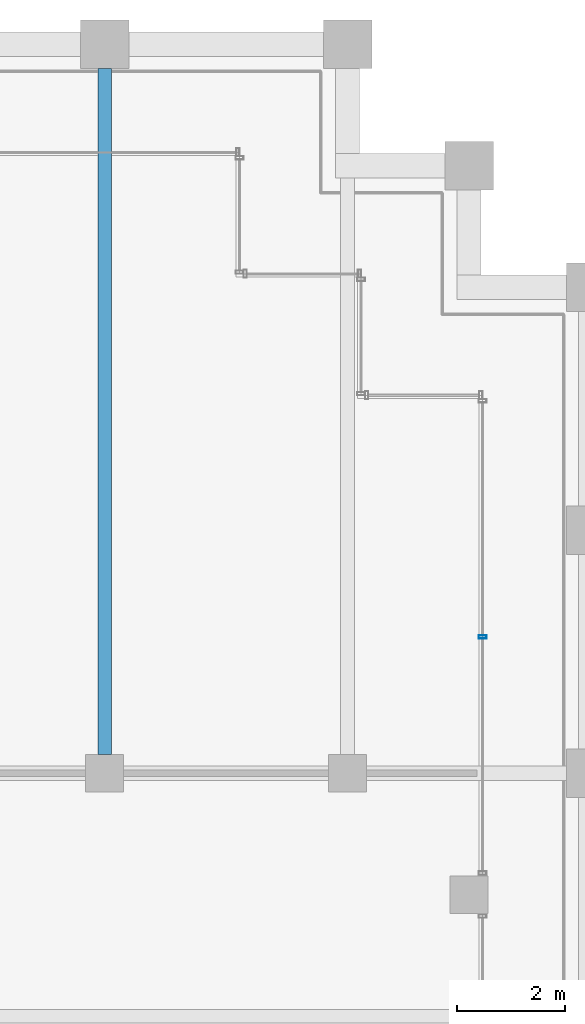
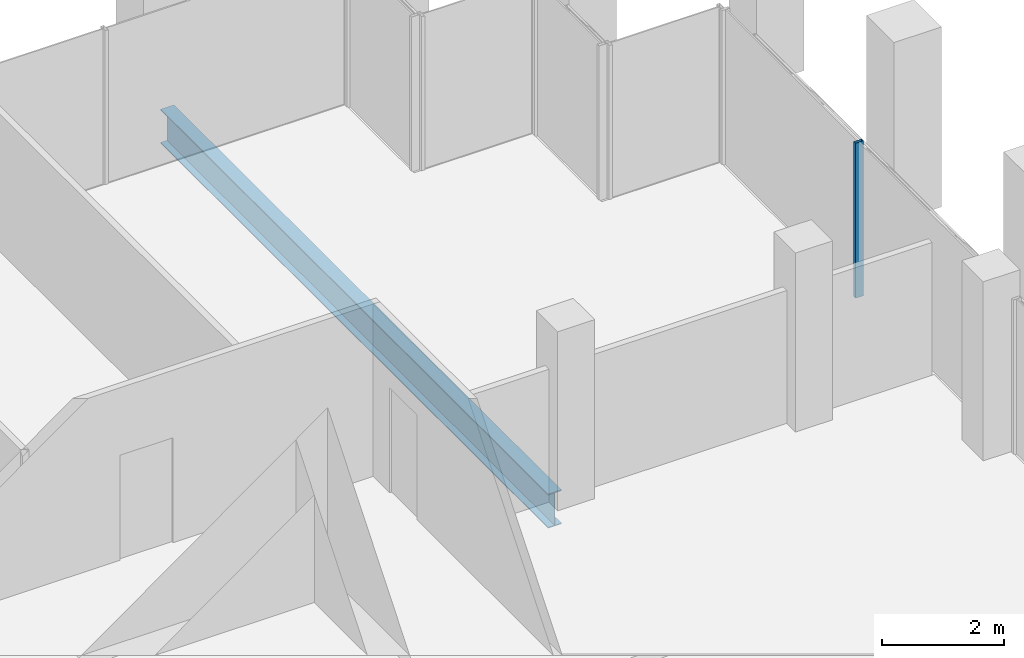
# One storey, part 24 of 40: 1 beam, 1 member, 1 element without a shape of its own.
"""IFC4 building model written with IfcOpenShell, lengths in metres."""

from ifc_helpers import new_model, si_unit, direction, frame, origin, origin_2d, place, context, subcontext, project, spatial, hollow_rectangle, i_section, extrude, material, material_profile, profile_set, type_object, element, aggregate, save


model = new_model("IFC4")

# Units and contexts
model_context = context("Model", 3, precision=1e-05, world=origin(), true_north=direction((0.0, 1.0)))
body_context = subcontext(model_context, "Body", "Model", "MODEL_VIEW")
ifc_project = project(units=[si_unit("LENGTHUNIT", "METRE"), si_unit("AREAUNIT", "SQUARE_METRE"), si_unit("VOLUMEUNIT", "CUBIC_METRE"), si_unit("PLANEANGLEUNIT", "RADIAN"), si_unit("MASSUNIT", "GRAM", prefix="KILO")], contexts=[model_context])

# Site, building, storey
site_placement = place(None, origin())
site = spatial("IfcSite", under=ifc_project, at=site_placement, CompositionType="ELEMENT")
building_placement = place(site_placement, origin())
building = spatial("IfcBuilding", under=site, at=building_placement, Name="Altepetl Exchange Towers", CompositionType="ELEMENT")
storey_placement = place(building_placement, frame((0.0, 0.0, 169.0)))
storey = spatial("IfcBuildingStorey", under=building, at=storey_placement, Name="L42", CompositionType="ELEMENT", Elevation=169.0)

# Beam
ifc_material_1 = material(Name="Steel S355", Category="steel")
ifc_material_profile_1 = material_profile(ifc_material_1, i_section(OverallWidth=0.25390625, OverallDepth=0.68408203125, WebThickness=0.012451171875, FlangeThickness=0.018798828125, at=origin_2d()), Name="W27X94")
ifc_profile_set_1 = profile_set([ifc_material_profile_1], Name="Steel S355")
beam_type = type_object("IfcBeamType", Name="Floor beam W27X94", PredefinedType="BEAM", material=ifc_profile_set_1)
beam_placement = place(storey_placement, frame((63.0, 58.85009765625, -0.491943359375), z_axis=(0.0, 1.0, 0.0), x_axis=(-1.0, 0.0, 0.0)))
element("IfcBeam", 1, at=beam_placement, inside=storey, type_object=beam_type, Name="bm:A:L42:004", PredefinedType="BEAM", context=body_context, shape_type="SweptSolid", body=[
    extrude(i_section(OverallWidth=0.25390625, OverallDepth=0.68408203125, WebThickness=0.012451171875, FlangeThickness=0.018798828125, at=origin_2d()), origin(), (0.0, 0.0, 1.0), 12.699951171875),
])

# Curtain wall, member
ifc_material_2 = material(Name="Aluminium 6063-T6 glazing", Category="aluminium")
curtain_wall_type = type_object("IfcCurtainWallType", Name="Loggia glazing system", PredefinedType="NOTDEFINED", material=ifc_material_2)
curtain_wall_placement = place(storey_placement, origin())
curtain_wall = element("IfcCurtainWall", 2, at=curtain_wall_placement, inside=storey, type_object=curtain_wall_type, Name="CW1 run", PredefinedType="NOTDEFINED")
ifc_material_3 = material(Name="Aluminium 6063-T6", Category="aluminium")
ifc_material_profile_2 = material_profile(ifc_material_3, hollow_rectangle(XDim=0.06005859375, YDim=0.14990234375, WallThickness=0.0029296875, at=origin_2d()), Name="Mullion 60x150 aluminium")
ifc_profile_set_2 = profile_set([ifc_material_profile_2], Name="Aluminium 6063-T6")
member_type = type_object("IfcMemberType", Name="Mullion 60x150 aluminium", PredefinedType="MULLION", material=ifc_profile_set_2)
member_placement = place(storey_placement, frame((70.0, 61.0224609375, 0.0), z_axis=(0.0, 0.0, 1.0), x_axis=(0.0, 1.0, 0.0)))
member = element("IfcMember", 3, at=member_placement, type_object=member_type, Name="MU1 mullion", PredefinedType="MULLION", context=body_context, shape_type="SweptSolid", body=[
    extrude(hollow_rectangle(XDim=0.06005859375, YDim=0.14990234375, WallThickness=0.0029296875, at=origin_2d()), origin(), (0.0, 0.0, 1.0), 3.10009765625),
])
aggregate(curtain_wall, [member])

save(model, "model.ifc")
